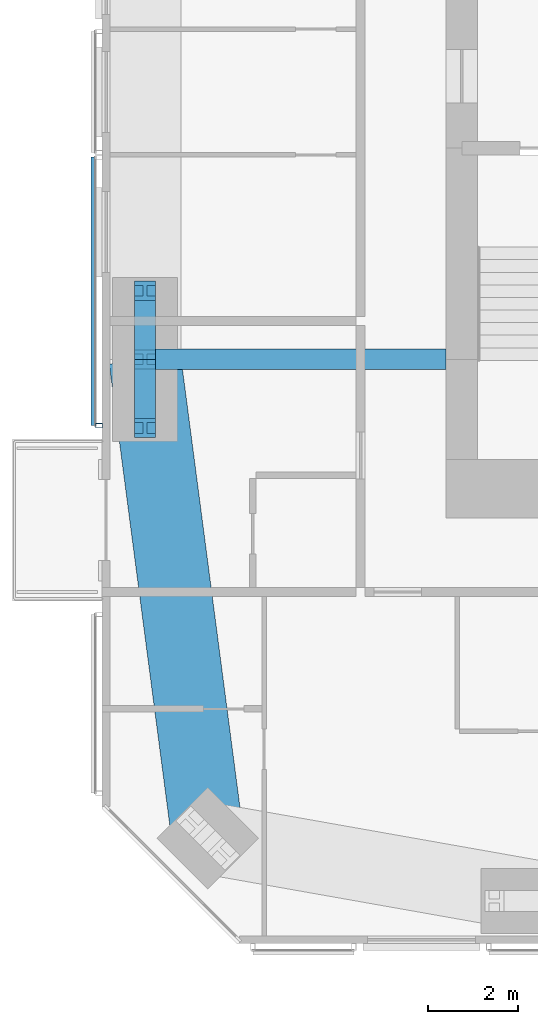
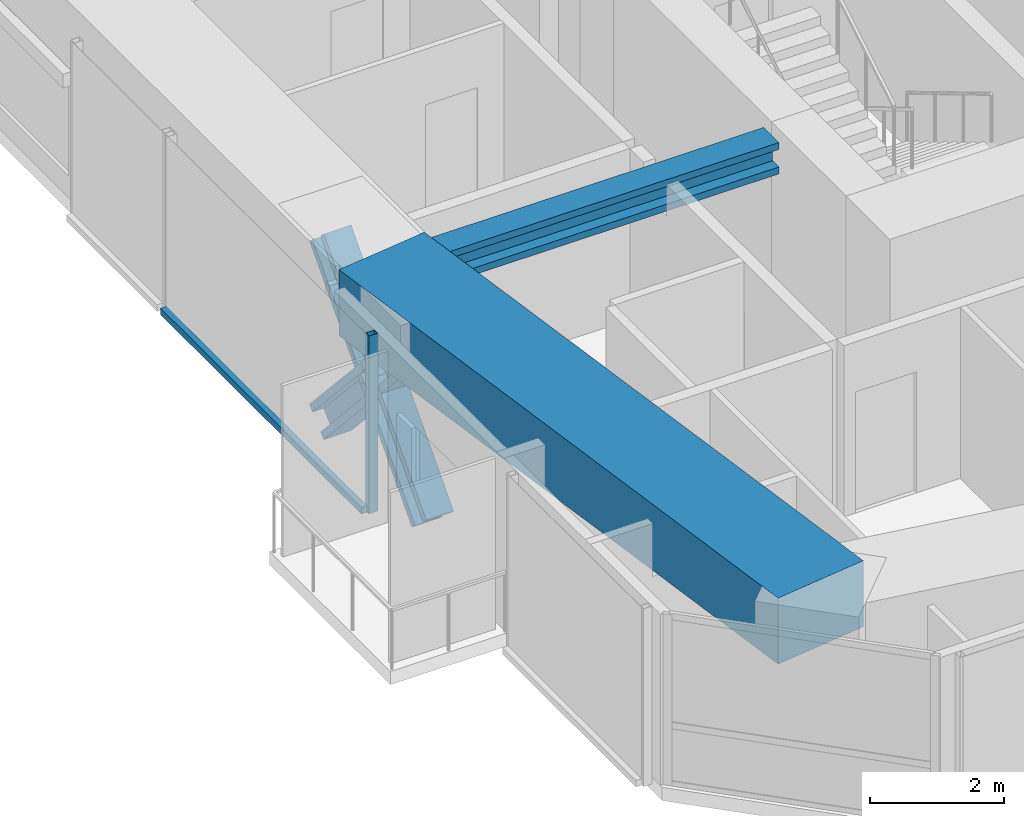
# One storey, part 3 of 23: 6 members, 2 beams, 1 element without a shape of its own.
"""IFC4 building model written with IfcOpenShell, lengths in metres."""

from ifc_helpers import new_model, si_unit, direction, frame, origin, origin_2d, place, context, subcontext, project, spatial, rectangle, hollow_rectangle, i_section, extrude, material, material_profile, profile_set, type_object, element, aggregate, save


model = new_model("IFC4")

# Units and contexts
model_context = context("Model", 3, precision=1e-05, world=origin(), true_north=direction((0.0, 1.0)))
body_context = subcontext(model_context, "Body", "Model", "MODEL_VIEW")
ifc_project = project(units=[si_unit("LENGTHUNIT", "METRE"), si_unit("AREAUNIT", "SQUARE_METRE"), si_unit("VOLUMEUNIT", "CUBIC_METRE"), si_unit("PLANEANGLEUNIT", "RADIAN"), si_unit("MASSUNIT", "GRAM", prefix="KILO")], contexts=[model_context])

# Site, building, storey
site_placement = place(None, origin())
site = spatial("IfcSite", under=ifc_project, at=site_placement, CompositionType="ELEMENT")
building_placement = place(site_placement, origin())
building = spatial("IfcBuilding", under=site, at=building_placement, Name="Jalousie Tower", CompositionType="ELEMENT")
storey_placement = place(building_placement, frame((0.0, 0.0, 181.14990234375)))
storey = spatial("IfcBuildingStorey", under=building, at=storey_placement, Name="L49", CompositionType="ELEMENT", Elevation=181.14990234375)

# Beam
ifc_material_1 = material(Name="Steel ASTM A992 Grade 50", Category="steel")
ifc_material_profile_1 = material_profile(ifc_material_1, i_section(OverallWidth=0.45458984375, OverallDepth=0.569091796875, WebThickness=0.077880859375, FlangeThickness=0.124755859375, at=origin_2d()), Name="W14X730")
ifc_profile_set_1 = profile_set([ifc_material_profile_1], Name="Steel ASTM A992 Grade 50")
beam_type_1 = type_object("IfcBeamType", Name="LEAN COLLECTOR W14X730", PredefinedType="BEAM", material=ifc_profile_set_1)
beam_1_placement = place(storey_placement, frame((12.949951171875, 13.0, 2.82568359375), z_axis=(1.0, 0.0, 0.0), x_axis=(0.0, 1.0, 0.0)))
element("IfcBeam", 1, at=beam_1_placement, inside=storey, type_object=beam_type_1, Name="Lean collector under L50", PredefinedType="BEAM", context=body_context, shape_type="SweptSolid", body=[
    extrude(i_section(OverallWidth=0.45458984375, OverallDepth=0.569091796875, WebThickness=0.077880859375, FlangeThickness=0.124755859375, at=origin_2d()), origin(), (0.0, 0.0, 1.0), 6.699951171875),
])

# Members
ifc_material_2 = material(Name="Steel ASTM A992 Grade 50", Category="steel")
ifc_material_profile_2 = material_profile(ifc_material_2, i_section(OverallWidth=0.472412109375, OverallDepth=0.5791015625, WebThickness=0.094970703125, FlangeThickness=0.1298828125, at=origin_2d()), Name="W14X808")
ifc_profile_set_2 = profile_set([ifc_material_profile_2], Name="Steel ASTM A992 Grade 50")
member_type_1 = type_object("IfcMemberType", Name="PERIMETER BRACE W14X808", PredefinedType="BRACE", material=ifc_profile_set_2)
for number, where, z_axis, x_axis, name in (
    (2, (12.949951171875, 11.47509765625, -0.599853515625), (0.0, 0.673187629365, 0.739471713908), (-1.0, 0.0, 0.0), "Perimeter brace 14 L49 part 1"),
    (3, (12.949951171875, 13.0, 1.0751953125), (0.0, 0.673241284601, 0.739422864611), (-1.0, 0.0, 0.0), "Perimeter brace 14 L49 part 2"),
    (4, (12.949951171875, 14.52490234375, -0.599853515625), (0.0, -0.673187629365, 0.739471713908), (1.0, 0.0, 0.0), "Perimeter brace 14 L49 part 3"),
    (5, (12.949951171875, 13.0, 1.0751953125), (0.0, -0.673241284601, 0.739422864611), (1.0, 0.0, 0.0), "Perimeter brace 14 L49 part 4"),
):
    element("IfcMember", number, at=place(storey_placement, frame(where, z_axis=z_axis, x_axis=x_axis)), inside=storey, type_object=member_type_1, Name=name, PredefinedType="BRACE", context=body_context, shape_type="SweptSolid", body=[
        extrude(i_section(OverallWidth=0.472412109375, OverallDepth=0.5791015625, WebThickness=0.094970703125, FlangeThickness=0.1298828125, at=origin_2d()), origin(), (0.0, 0.0, 1.0), 2.26513671875),
    ])

# Beam
ifc_material_3 = material(Name="Concrete f'c 40 MPa", Category="concrete")
ifc_material_profile_3 = material_profile(ifc_material_3, rectangle(XDim=1.60009765625, YDim=1.199951171875, at=origin_2d()), Name="RC 1600x1200")
ifc_profile_set_3 = profile_set([ifc_material_profile_3], Name="Concrete f'c 40 MPa")
beam_type_2 = type_object("IfcBeamType", Name="RC BEAM 1600x1200", PredefinedType="BEAM", material=ifc_profile_set_3)
beam_2_placement = place(storey_placement, frame((12.949951171875, 13.0, 2.75), z_axis=(0.130171745558, -0.991491460709, 0.0), x_axis=(0.991491460709, 0.130171745558, 0.0)))
element("IfcBeam", 6, at=beam_2_placement, inside=storey, type_object=beam_type_2, Name="Edge band beam 14-01 under L50", PredefinedType="BEAM", context=body_context, shape_type="SweptSolid", body=[
    extrude(rectangle(XDim=1.60009765625, YDim=1.199951171875, at=origin_2d()), origin(), (0.0, 0.0, 1.0), 10.742919921875),
])

# Curtain wall, members
ifc_material_4 = material(Name="Perforated aluminium sheet", Category="aluminium")
curtain_wall_type = type_object("IfcCurtainWallType", Name="SOLAR SCREEN SS-1", PredefinedType="USERDEFINED", material=ifc_material_4)
curtain_wall_placement = place(storey_placement, origin())
curtain_wall = element("IfcCurtainWall", 7, at=curtain_wall_placement, inside=storey, type_object=curtain_wall_type, Name="Solar screen L49", ObjectType="SOLAR SCREEN SS-1", PredefinedType="USERDEFINED")
ifc_material_5 = material(Name="Steel ASTM A500 Grade C", Category="steel")
ifc_material_profile_4 = material_profile(ifc_material_5, hollow_rectangle(XDim=0.1015625, YDim=0.15234375, WallThickness=0.00634765625, at=origin_2d()), Name="HSS6X4X1/4")
ifc_profile_set_4 = profile_set([ifc_material_profile_4], Name="Steel ASTM A500 Grade C")
member_type_2 = type_object("IfcMemberType", Name="SOLAR SCREEN SS-1 MULLION", PredefinedType="MULLION", material=ifc_profile_set_4)
member_1_placement = place(storey_placement, frame((11.9287109375, 11.52490234375, -0.119873046875), z_axis=(0.0, 0.0, 1.0), x_axis=(0.0, -1.0, 0.0)))
member_1 = element("IfcMember", 8, at=member_1_placement, type_object=member_type_2, Name="SS1 post 2", PredefinedType="MULLION", context=body_context, shape_type="SweptSolid", body=[
    extrude(hollow_rectangle(XDim=0.1015625, YDim=0.15234375, WallThickness=0.00634765625, at=origin_2d()), origin(), (0.0, 0.0, 1.0), 3.22998046875),
])
ifc_material_6 = material(Name="Extruded aluminium screen rail", Category="aluminium")
ifc_material_profile_5 = material_profile(ifc_material_6, rectangle(XDim=0.1015625, YDim=0.1201171875, at=origin_2d()), Name="RAIL 102x120")
ifc_profile_set_5 = profile_set([ifc_material_profile_5], Name="Extruded aluminium screen rail")
member_type_3 = type_object("IfcMemberType", Name="SOLAR SCREEN SS-1 TRANSOM", PredefinedType="USERDEFINED", material=ifc_profile_set_5)
member_2_placement = place(storey_placement, frame((11.8017578125, 17.5, -0.059814453125), z_axis=(0.0, -1.0, 0.0), x_axis=(1.0, 0.0, 0.0)))
member_2 = element("IfcMember", 9, at=member_2_placement, type_object=member_type_3, Name="SS1 rail", ObjectType="TRANSOM", PredefinedType="USERDEFINED", context=body_context, shape_type="SweptSolid", body=[
    extrude(rectangle(XDim=0.1015625, YDim=0.1201171875, at=origin_2d()), origin(), (0.0, 0.0, 1.0), 5.97509765625),
])
aggregate(curtain_wall, [member_1, member_2])

save(model, "model.ifc")
